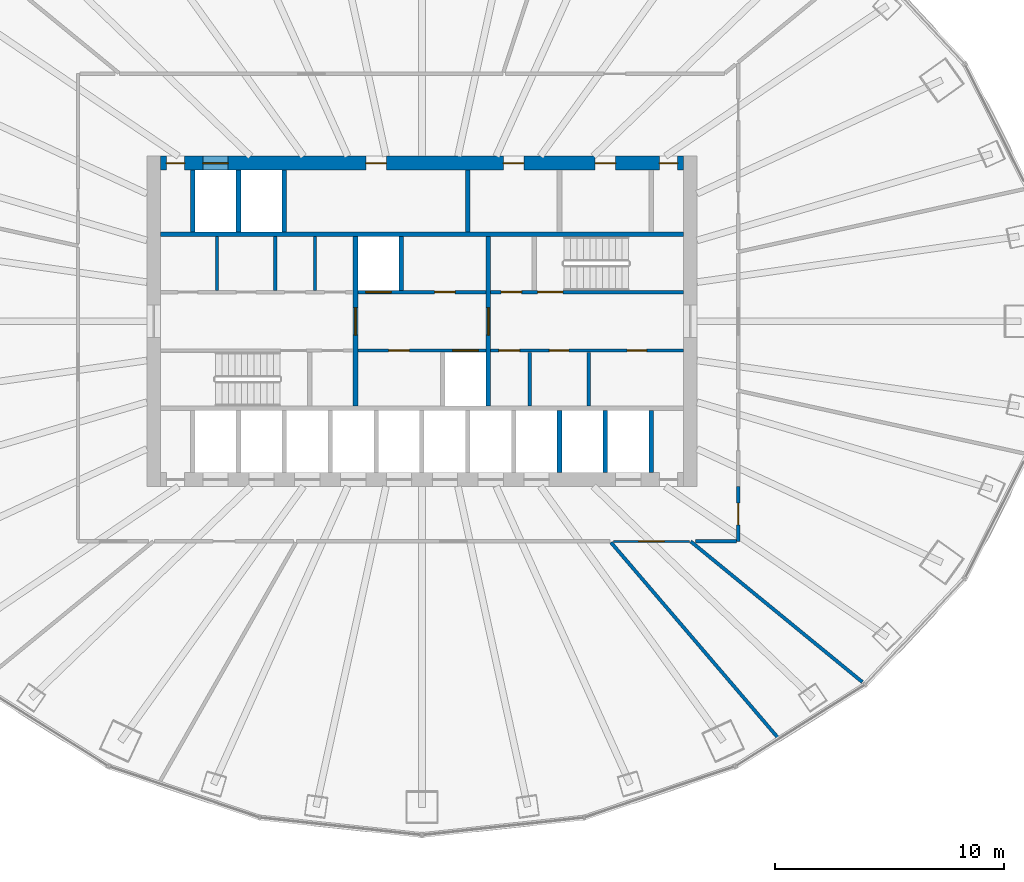
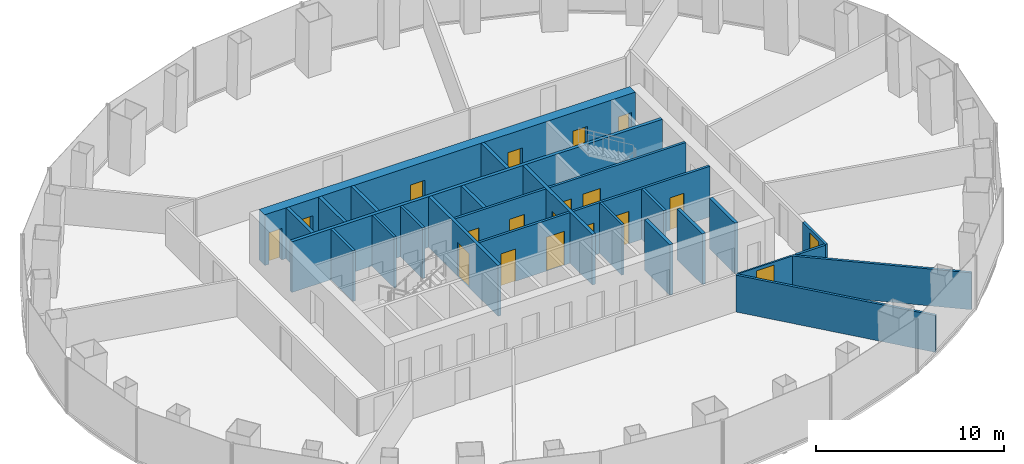
# One storey, part 9 of 11: 26 walls, 19 doors, 19 openings.
"""IFC4 building model written with IfcOpenShell, lengths in metres."""

from ifc_helpers import new_model, si_unit, direction, frame, frame_2d, origin, place, context, subcontext, project, spatial, rectangle, extrude, material, layer, layer_set, type_object, element, fill, save


model = new_model("IFC4")

# Units and contexts
model_context = context("Model", 3, precision=1e-05, world=origin(), true_north=direction((0.0, 1.0)))
body_context = subcontext(model_context, "Body", "Model", "MODEL_VIEW")
ifc_project = project(units=[si_unit("LENGTHUNIT", "METRE"), si_unit("AREAUNIT", "SQUARE_METRE"), si_unit("VOLUMEUNIT", "CUBIC_METRE"), si_unit("PLANEANGLEUNIT", "RADIAN"), si_unit("MASSUNIT", "GRAM", prefix="KILO")], contexts=[model_context])

# Site, building, storey
site_placement = place(None, origin())
site = spatial("IfcSite", under=ifc_project, at=site_placement, CompositionType="ELEMENT")
building_placement = place(site_placement, origin())
building = spatial("IfcBuilding", under=site, at=building_placement, Name="Siaravel Broadcast Tower", CompositionType="ELEMENT")
storey_placement = place(building_placement, frame((0.0, 0.0, 66.699951171875)))
storey = spatial("IfcBuildingStorey", under=building, at=storey_placement, Name="L15", CompositionType="ELEMENT", Elevation=66.699951171875)

# Walls
ifc_material_1 = material(Name="Concrete blockwork", Category="masonry")
ifc_layer_1 = layer(ifc_material_1, 0.14990234375)
ifc_layer_set_1 = layer_set([ifc_layer_1], Name="Concrete blockwork")
wall_type_1 = type_object("IfcWallType", Name="Core partition 150", PredefinedType="PARTITIONING", material=ifc_layer_set_1)
for number, where, z_axis, x_axis, name in (
    (1, (-8.93994140625, 1.35009765625, 0.0), (0.0, 0.0, 1.0), (0.0, 1.0, 0.0), "L15 core partition PNW0"),
    (2, (-6.405029296875, 1.35009765625, 0.0), (0.0, 0.0, 1.0), (0.0, 1.0, 0.0), "L15 core partition PNW1"),
    (3, (-4.6650390625, 1.35009765625, 0.0), (0.0, 0.0, 1.0), (0.0, 1.0, 0.0), "L15 core partition PNW2"),
    (4, (4.695068359375, -3.699951171875, 0.0), (0.0, 0.0, 1.0), (0.0, 1.0, 0.0), "L15 core partition PSE0"),
    (5, (7.27490234375, -3.699951171875, 0.0), (0.0, 0.0, 1.0), (0.0, 1.0, 0.0), "L15 core partition PSE1"),
):
    element("IfcWall", number, at=place(storey_placement, frame(where, z_axis=z_axis, x_axis=x_axis)), inside=storey, type_object=wall_type_1, Name=name, PredefinedType="PARTITIONING", context=body_context, shape_type="SweptSolid", body=[
        extrude(rectangle(XDim=2.349853515625, YDim=0.14990234375, at=frame_2d((1.1748046875, 0.0))), origin(), (0.0, 0.0, 1.0), 3.300048828125),
    ])
ifc_layer_2 = layer(ifc_material_1, 0.199951171875)
ifc_layer_set_2 = layer_set([ifc_layer_2], Name="Concrete blockwork")
wall_type_2 = type_object("IfcWallType", Name="Core partition 200", PredefinedType="PARTITIONING", material=ifc_layer_set_2)
wall_1_placement = place(storey_placement, frame((2.0, 3.89990234375, 0.0), z_axis=(0.0, 0.0, 1.0), x_axis=(0.0, 1.0, 0.0)))
element("IfcWall", 6, at=wall_1_placement, inside=storey, type_object=wall_type_2, Name="L15 core partition PFN2", PredefinedType="PARTITIONING", context=body_context, shape_type="SweptSolid", body=[
    extrude(rectangle(XDim=2.7001953125, YDim=0.199951171875, at=frame_2d((1.35009765625, 0.0))), origin(), (0.0, 0.0, 1.0), 3.300048828125),
])

# Wall, openings, doors
ifc_material_2 = material(Name="Concrete C60/75", Category="concrete")
ifc_layer_3 = layer(ifc_material_2, 0.60009765625)
ifc_layer_set_3 = layer_set([ifc_layer_3], Name="Concrete C60/75")
wall_type_3 = type_object("IfcWallType", Name="Core wall 600", PredefinedType="SHEAR", material=ifc_layer_set_3)
wall_2_placement = place(storey_placement, frame((-11.39990234375, 6.89990234375, 0.0), z_axis=(0.0, 0.0, 1.0), x_axis=(1.0, 0.0, 0.0)))
wall_2 = element("IfcWall", 7, at=wall_2_placement, inside=storey, type_object=wall_type_3, Name="L15 core wall ON", PredefinedType="SHEAR", context=body_context, shape_type="SweptSolid", body=[
    extrude(rectangle(XDim=22.7998046875, YDim=0.60009765625, at=frame_2d((11.39990234375, 0.0))), origin(), (0.0, 0.0, 1.0), 3.300048828125),
])
opening_1_placement = place(wall_2_placement, frame((1.85009765625, 0.0, 0.0)))
opening_1 = element("IfcOpeningElement", 8, at=opening_1_placement, cuts=wall_2, Name="Opening LD-SV2-L15", PredefinedType="OPENING", context=body_context, shape_type="SweptSolid", body=[
    extrude(rectangle(XDim=1.10009765625, YDim=2.199951171875, at=frame_2d((0.550048828125, 1.10009765625))), frame((0.0, 0.31005859375, 0.0), z_axis=(0.0, -1.0, 0.0), x_axis=(1.0, 0.0, 0.0)), (0.0, 0.0, 1.0), 0.6201171875),
])
opening_2_placement = place(wall_2_placement, frame((8.949951171875, 0.0, 0.0)))
opening_2 = element("IfcOpeningElement", 9, at=opening_2_placement, cuts=wall_2, Name="Opening L15-DFN2", PredefinedType="OPENING", context=body_context, shape_type="SweptSolid", body=[
    extrude(rectangle(XDim=0.89990234375, YDim=2.10009765625, at=frame_2d((0.449951171875, 1.050048828125))), frame((0.0, 0.31005859375, 0.0), z_axis=(0.0, -1.0, 0.0), x_axis=(1.0, 0.0, 0.0)), (0.0, 0.0, 1.0), 0.6201171875),
])
opening_3_placement = place(wall_2_placement, frame((14.949951171875, 0.0, 0.0)))
opening_3 = element("IfcOpeningElement", 10, at=opening_3_placement, cuts=wall_2, Name="Opening L15-DFN6", PredefinedType="OPENING", context=body_context, shape_type="SweptSolid", body=[
    extrude(rectangle(XDim=0.89990234375, YDim=2.10009765625, at=frame_2d((0.449951171875, 1.050048828125))), frame((0.0, 0.31005859375, 0.0), z_axis=(0.0, -1.0, 0.0), x_axis=(1.0, 0.0, 0.0)), (0.0, 0.0, 1.0), 0.6201171875),
])
opening_4_placement = place(wall_2_placement, frame((18.949951171875, 0.0, 0.0)))
opening_4 = element("IfcOpeningElement", 11, at=opening_4_placement, cuts=wall_2, Name="Opening L15-DFN8", PredefinedType="OPENING", context=body_context, shape_type="SweptSolid", body=[
    extrude(rectangle(XDim=0.89990234375, YDim=2.10009765625, at=frame_2d((0.449951171875, 1.050048828125))), frame((0.0, 0.31005859375, 0.0), z_axis=(0.0, -1.0, 0.0), x_axis=(1.0, 0.0, 0.0)), (0.0, 0.0, 1.0), 0.6201171875),
])
opening_5_placement = place(wall_2_placement, frame((0.25, 0.0, 0.0)))
opening_5 = element("IfcOpeningElement", 12, at=opening_5_placement, cuts=wall_2, Name="Opening L15-DRNW", PredefinedType="OPENING", context=body_context, shape_type="SweptSolid", body=[
    extrude(rectangle(XDim=0.800048828125, YDim=2.050048828125, at=frame_2d((0.39990234375, 1.02490234375))), frame((0.0, 0.31005859375, 0.0), z_axis=(0.0, -1.0, 0.0), x_axis=(1.0, 0.0, 0.0)), (0.0, 0.0, 1.0), 0.6201171875),
])
opening_6_placement = place(wall_2_placement, frame((21.75, 0.0, 0.0)))
opening_6 = element("IfcOpeningElement", 13, at=opening_6_placement, cuts=wall_2, Name="Opening L15-DRNE", PredefinedType="OPENING", context=body_context, shape_type="SweptSolid", body=[
    extrude(rectangle(XDim=0.800048828125, YDim=2.050048828125, at=frame_2d((0.39990234375, 1.02490234375))), frame((0.0, 0.31005859375, 0.0), z_axis=(0.0, -1.0, 0.0), x_axis=(1.0, 0.0, 0.0)), (0.0, 0.0, 1.0), 0.6201171875),
])
ifc_material_3 = material(Name="Timber veneer", Category="wood")
door_type_1 = type_object("IfcDoorType", Name="Core room door 900", OperationType="SINGLE_SWING_LEFT", PredefinedType="DOOR", material=ifc_material_3)
door_1_placement = place(opening_2_placement, origin())
door_1 = element("IfcDoor", 14, at=door_1_placement, inside=storey, type_object=door_type_1, Name="L15 door DFN2", OperationType="SINGLE_SWING_LEFT", OverallHeight=2.10009765625, OverallWidth=0.89990234375, PredefinedType="DOOR", context=body_context, shape_type="SweptSolid", body=[
    extrude(rectangle(XDim=0.89990234375, YDim=2.10009765625, at=frame_2d((0.449951171875, 1.050048828125))), frame((0.0, 0.02490234375, 0.0), z_axis=(0.0, -1.0, 0.0), x_axis=(1.0, 0.0, 0.0)), (0.0, 0.0, 1.0), 0.050048828125),
])
fill(opening_2, door_1)
door_2_placement = place(opening_3_placement, origin())
door_2 = element("IfcDoor", 15, at=door_2_placement, inside=storey, type_object=door_type_1, Name="L15 door DFN6", OperationType="SINGLE_SWING_LEFT", OverallHeight=2.10009765625, OverallWidth=0.89990234375, PredefinedType="DOOR", context=body_context, shape_type="SweptSolid", body=[
    extrude(rectangle(XDim=0.89990234375, YDim=2.10009765625, at=frame_2d((0.449951171875, 1.050048828125))), frame((0.0, 0.02490234375, 0.0), z_axis=(0.0, -1.0, 0.0), x_axis=(1.0, 0.0, 0.0)), (0.0, 0.0, 1.0), 0.050048828125),
])
fill(opening_3, door_2)
door_3_placement = place(opening_4_placement, origin())
door_3 = element("IfcDoor", 16, at=door_3_placement, inside=storey, type_object=door_type_1, Name="L15 door DFN8", OperationType="SINGLE_SWING_LEFT", OverallHeight=2.10009765625, OverallWidth=0.89990234375, PredefinedType="DOOR", context=body_context, shape_type="SweptSolid", body=[
    extrude(rectangle(XDim=0.89990234375, YDim=2.10009765625, at=frame_2d((0.449951171875, 1.050048828125))), frame((0.0, 0.02490234375, 0.0), z_axis=(0.0, -1.0, 0.0), x_axis=(1.0, 0.0, 0.0)), (0.0, 0.0, 1.0), 0.050048828125),
])
fill(opening_4, door_3)
ifc_material_4 = material(Name="Steel", Category="steel")
door_type_2 = type_object("IfcDoorType", Name="Riser door 800", OperationType="SINGLE_SWING_LEFT", PredefinedType="DOOR", material=ifc_material_4)
door_4_placement = place(opening_5_placement, origin())
door_4 = element("IfcDoor", 17, at=door_4_placement, inside=storey, type_object=door_type_2, Name="L15 door DRNW", OperationType="SINGLE_SWING_LEFT", OverallHeight=2.050048828125, OverallWidth=0.800048828125, PredefinedType="DOOR", context=body_context, shape_type="SweptSolid", body=[
    extrude(rectangle(XDim=0.800048828125, YDim=2.050048828125, at=frame_2d((0.39990234375, 1.02490234375))), frame((0.0, 0.02490234375, 0.0), z_axis=(0.0, -1.0, 0.0), x_axis=(1.0, 0.0, 0.0)), (0.0, 0.0, 1.0), 0.050048828125),
])
fill(opening_5, door_4)
door_5_placement = place(opening_6_placement, origin())
door_5 = element("IfcDoor", 18, at=door_5_placement, inside=storey, type_object=door_type_2, Name="L15 door DRNE", OperationType="SINGLE_SWING_LEFT", OverallHeight=2.050048828125, OverallWidth=0.800048828125, PredefinedType="DOOR", context=body_context, shape_type="SweptSolid", body=[
    extrude(rectangle(XDim=0.800048828125, YDim=2.050048828125, at=frame_2d((0.39990234375, 1.02490234375))), frame((0.0, 0.02490234375, 0.0), z_axis=(0.0, -1.0, 0.0), x_axis=(1.0, 0.0, 0.0)), (0.0, 0.0, 1.0), 0.050048828125),
])
fill(opening_6, door_5)
ifc_material_5 = material(Name="Stainless steel 316L", Category="steel")
door_type_3 = type_object("IfcDoorType", Name="Service lift landing door 1100", OperationType="DOUBLE_DOOR_SLIDING", PredefinedType="DOOR", material=ifc_material_5)
door_6_placement = place(opening_1_placement, origin())
door_6 = element("IfcDoor", 19, at=door_6_placement, inside=storey, type_object=door_type_3, Name="Landing door SV2 L15", OperationType="DOUBLE_DOOR_SLIDING", OverallHeight=2.199951171875, OverallWidth=1.10009765625, PredefinedType="DOOR", context=body_context, shape_type="SweptSolid", body=[
    extrude(rectangle(XDim=1.10009765625, YDim=2.199951171875, at=frame_2d((0.550048828125, 1.10009765625))), frame((0.0, 0.02490234375, 0.0), z_axis=(0.0, -1.0, 0.0), x_axis=(1.0, 0.0, 0.0)), (0.0, 0.0, 1.0), 0.050048828125),
])
fill(opening_1, door_6)

ifc_material_6 = material(Name="Gypsum board partition", Category="gypsum")
ifc_layer_4 = layer(ifc_material_6, 0.14990234375)
ifc_layer_set_4 = layer_set([ifc_layer_4], Name="Gypsum board partition")
wall_type_4 = type_object("IfcWallType", Name="Corridor wall 150", PredefinedType="PARTITIONING", material=ifc_layer_set_4)
wall_3_placement = place(storey_placement, frame((3.0, -1.27490234375, 0.0), z_axis=(0.0, 0.0, 1.0), x_axis=(1.0, 0.0, 0.0)))
wall_3 = element("IfcWall", 20, at=wall_3_placement, inside=storey, type_object=wall_type_4, Name="L15 core partition CSE", PredefinedType="PARTITIONING", context=body_context, shape_type="SweptSolid", body=[
    extrude(rectangle(XDim=8.39990234375, YDim=0.14990234375, at=frame_2d((4.199951171875, 0.0))), origin(), (0.0, 0.0, 1.0), 3.300048828125),
])
opening_7_placement = place(wall_3_placement, frame((0.360107421875, 0.0, 0.0)))
opening_7 = element("IfcOpeningElement", 21, at=opening_7_placement, cuts=wall_3, Name="Opening L15-DSE0", PredefinedType="OPENING", context=body_context, shape_type="SweptSolid", body=[
    extrude(rectangle(XDim=0.89990234375, YDim=2.10009765625, at=frame_2d((0.449951171875, 1.050048828125))), frame((0.0, 0.0849609375, 0.0), z_axis=(0.0, -1.0, 0.0), x_axis=(1.0, 0.0, 0.0)), (0.0, 0.0, 1.0), 0.169921875),
])
opening_8_placement = place(wall_3_placement, frame((2.56005859375, 0.0, 0.0)))
opening_8 = element("IfcOpeningElement", 22, at=opening_8_placement, cuts=wall_3, Name="Opening L15-DSE1", PredefinedType="OPENING", context=body_context, shape_type="SweptSolid", body=[
    extrude(rectangle(XDim=0.85009765625, YDim=2.10009765625, at=frame_2d((0.425048828125, 1.050048828125))), frame((0.0, 0.0849609375, 0.0), z_axis=(0.0, -1.0, 0.0), x_axis=(1.0, 0.0, 0.0)), (0.0, 0.0, 1.0), 0.169921875),
])
opening_9_placement = place(wall_3_placement, frame((5.949951171875, 0.0, 0.0)))
opening_9 = element("IfcOpeningElement", 23, at=opening_9_placement, cuts=wall_3, Name="Opening L15-DSE2", PredefinedType="OPENING", context=body_context, shape_type="SweptSolid", body=[
    extrude(rectangle(XDim=0.85009765625, YDim=2.10009765625, at=frame_2d((0.425048828125, 1.050048828125))), frame((0.0, 0.0849609375, 0.0), z_axis=(0.0, -1.0, 0.0), x_axis=(1.0, 0.0, 0.0)), (0.0, 0.0, 1.0), 0.169921875),
])
door_7_placement = place(opening_7_placement, origin())
door_7 = element("IfcDoor", 24, at=door_7_placement, inside=storey, type_object=door_type_1, Name="L15 door DSE0", OperationType="SINGLE_SWING_LEFT", OverallHeight=2.10009765625, OverallWidth=0.89990234375, PredefinedType="DOOR", context=body_context, shape_type="SweptSolid", body=[
    extrude(rectangle(XDim=0.89990234375, YDim=2.10009765625, at=frame_2d((0.449951171875, 1.050048828125))), frame((0.0, 0.02490234375, 0.0), z_axis=(0.0, -1.0, 0.0), x_axis=(1.0, 0.0, 0.0)), (0.0, 0.0, 1.0), 0.050048828125),
])
fill(opening_7, door_7)
door_type_4 = type_object("IfcDoorType", Name="Core toilet door 850", OperationType="SINGLE_SWING_LEFT", PredefinedType="DOOR", material=ifc_material_3)
door_8_placement = place(opening_8_placement, origin())
door_8 = element("IfcDoor", 25, at=door_8_placement, inside=storey, type_object=door_type_4, Name="L15 door DSE1", OperationType="SINGLE_SWING_LEFT", OverallHeight=2.10009765625, OverallWidth=0.85009765625, PredefinedType="DOOR", context=body_context, shape_type="SweptSolid", body=[
    extrude(rectangle(XDim=0.85009765625, YDim=2.10009765625, at=frame_2d((0.425048828125, 1.050048828125))), frame((0.0, 0.02490234375, 0.0), z_axis=(0.0, -1.0, 0.0), x_axis=(1.0, 0.0, 0.0)), (0.0, 0.0, 1.0), 0.050048828125),
])
fill(opening_8, door_8)
door_9_placement = place(opening_9_placement, origin())
door_9 = element("IfcDoor", 26, at=door_9_placement, inside=storey, type_object=door_type_4, Name="L15 door DSE2", OperationType="SINGLE_SWING_LEFT", OverallHeight=2.10009765625, OverallWidth=0.85009765625, PredefinedType="DOOR", context=body_context, shape_type="SweptSolid", body=[
    extrude(rectangle(XDim=0.85009765625, YDim=2.10009765625, at=frame_2d((0.425048828125, 1.050048828125))), frame((0.0, 0.02490234375, 0.0), z_axis=(0.0, -1.0, 0.0), x_axis=(1.0, 0.0, 0.0)), (0.0, 0.0, 1.0), 0.050048828125),
])
fill(opening_9, door_9)

# Wall, opening, door
wall_4_placement = place(storey_placement, frame((13.800048828125, -9.60009765625, 0.0), z_axis=(0.0, 0.0, 1.0), x_axis=(0.0, 1.0, 0.0)))
wall_4 = element("IfcWall", 27, at=wall_4_placement, inside=storey, type_object=wall_type_4, Name="L15 partition 25", PredefinedType="PARTITIONING", context=body_context, shape_type="SweptSolid", body=[
    extrude(rectangle(XDim=2.38720703125, YDim=0.14990234375, at=frame_2d((1.193603515625, 0.0))), origin(), (0.0, 0.0, 1.0), 2.400146484375),
])
opening_10_placement = place(wall_4_placement, frame((0.718505859375, 0.0, 0.0)))
opening_10 = element("IfcOpeningElement", 28, at=opening_10_placement, cuts=wall_4, Name="Opening L15-002", PredefinedType="OPENING", context=body_context, shape_type="SweptSolid", body=[
    extrude(rectangle(XDim=0.949951171875, YDim=2.14990234375, at=frame_2d((0.47509765625, 1.074951171875))), frame((0.0, 0.0849609375, 0.0), z_axis=(0.0, -1.0, 0.0), x_axis=(1.0, 0.0, 0.0)), (0.0, 0.0, 1.0), 0.169921875),
])
door_type_5 = type_object("IfcDoorType", Name="Office door 950", OperationType="SINGLE_SWING_LEFT", PredefinedType="DOOR", material=ifc_material_3)
door_10_placement = place(opening_10_placement, origin())
door_10 = element("IfcDoor", 29, at=door_10_placement, inside=storey, type_object=door_type_5, Name="L15 door to Graphics studio", OperationType="SINGLE_SWING_RIGHT", OverallHeight=2.14990234375, OverallWidth=0.949951171875, PredefinedType="DOOR", context=body_context, shape_type="SweptSolid", body=[
    extrude(rectangle(XDim=0.949951171875, YDim=2.14990234375, at=frame_2d((0.47509765625, 1.074951171875))), frame((0.0, 0.02490234375, 0.0), z_axis=(0.0, -1.0, 0.0), x_axis=(1.0, 0.0, 0.0)), (0.0, 0.0, 1.0), 0.050048828125),
])
fill(opening_10, door_10)

# Wall
wall_5_placement = place(storey_placement, frame((11.931884765625, -9.60009765625, 0.0), z_axis=(0.0, 0.0, 1.0), x_axis=(1.0, 0.0, 0.0)))
element("IfcWall", 30, at=wall_5_placement, inside=storey, type_object=wall_type_4, Name="L15 partition 26", PredefinedType="PARTITIONING", context=body_context, shape_type="SweptSolid", body=[
    extrude(rectangle(XDim=1.791015625, YDim=0.14990234375, at=frame_2d((0.8955078125, 0.0))), origin(), (0.0, 0.0, 1.0), 2.400146484375),
])

# Wall, opening, door
ifc_material_7 = material(Name="Glazed aluminium partition", Category="aluminium")
ifc_layer_5 = layer(ifc_material_7, 0.10009765625)
ifc_layer_set_5 = layer_set([ifc_layer_5], Name="Glazed aluminium partition")
wall_type_5 = type_object("IfcWallType", Name="Glazed meeting room partition 100", PredefinedType="PARTITIONING", material=ifc_layer_set_5)
wall_6_placement = place(storey_placement, frame((8.349853515625, -9.60009765625, 0.0), z_axis=(0.0, 0.0, 1.0), x_axis=(1.0, 0.0, 0.0)))
wall_6 = element("IfcWall", 31, at=wall_6_placement, inside=storey, type_object=wall_type_5, Name="L15 partition 22", PredefinedType="PARTITIONING", context=body_context, shape_type="SweptSolid", body=[
    extrude(rectangle(XDim=3.3271484375, YDim=0.10009765625, at=frame_2d((1.66357421875, 0.0))), origin(), (0.0, 0.0, 1.0), 2.400146484375),
])
opening_11_placement = place(wall_6_placement, frame((1.113525390625, 0.0, 0.0)))
opening_11 = element("IfcOpeningElement", 32, at=opening_11_placement, cuts=wall_6, Name="Opening L15-013", PredefinedType="OPENING", context=body_context, shape_type="SweptSolid", body=[
    extrude(rectangle(XDim=1.10009765625, YDim=2.199951171875, at=frame_2d((0.550048828125, 1.10009765625))), frame((0.0, 0.06005859375, 0.0), z_axis=(0.0, -1.0, 0.0), x_axis=(1.0, 0.0, 0.0)), (0.0, 0.0, 1.0), 0.1201171875),
])
door_type_6 = type_object("IfcDoorType", Name="Meeting room door 1100", OperationType="SINGLE_SWING_LEFT", PredefinedType="DOOR", material=ifc_material_3)
door_11_placement = place(opening_11_placement, origin())
door_11 = element("IfcDoor", 33, at=door_11_placement, inside=storey, type_object=door_type_6, Name="L15 door to Meeting room", OperationType="SINGLE_SWING_LEFT", OverallHeight=2.199951171875, OverallWidth=1.10009765625, PredefinedType="DOOR", context=body_context, shape_type="SweptSolid", body=[
    extrude(rectangle(XDim=1.10009765625, YDim=2.199951171875, at=frame_2d((0.550048828125, 1.10009765625))), frame((0.0, 0.02490234375, 0.0), z_axis=(0.0, -1.0, 0.0), x_axis=(1.0, 0.0, 0.0)), (0.0, 0.0, 1.0), 0.050048828125),
])
fill(opening_11, door_11)

# Walls
ifc_layer_6 = layer(ifc_material_6, 0.14990234375)
ifc_layer_set_6 = layer_set([ifc_layer_6], Name="Gypsum board partition")
wall_type_6 = type_object("IfcWallType", Name="Room partition 150", PredefinedType="PARTITIONING", material=ifc_layer_set_6)
wall_7_placement = place(storey_placement, frame((15.577392578125, -18.22265625, 0.0), z_axis=(0.0, 0.0, 1.0), x_axis=(-0.649782359, 0.76012031, 0.0)))
element("IfcWall", 34, at=wall_7_placement, inside=storey, type_object=wall_type_6, Name="L15 partition 7", PredefinedType="PARTITIONING", context=body_context, shape_type="SweptSolid", body=[
    extrude(rectangle(XDim=11.28466796875, YDim=0.14990234375, at=frame_2d((5.642333984375, 0.0))), origin(), (0.0, 0.0, 1.0), 2.400146484375),
])
wall_8_placement = place(storey_placement, frame((11.72021484375, -9.60009765625, 0.0), z_axis=(0.0, 0.0, 1.0), x_axis=(0.77360313, -0.633670417, 0.0)))
element("IfcWall", 35, at=wall_8_placement, inside=storey, type_object=wall_type_6, Name="L15 partition 11", PredefinedType="PARTITIONING", context=body_context, shape_type="SweptSolid", body=[
    extrude(rectangle(XDim=9.677734375, YDim=0.14990234375, at=frame_2d((4.8388671875, 0.0))), origin(), (0.0, 0.0, 1.0), 2.400146484375),
])

# Wall, openings, doors
ifc_layer_7 = layer(ifc_material_2, 0.14990234375)
ifc_layer_set_7 = layer_set([ifc_layer_7], Name="Concrete C60/75")
wall_type_7 = type_object("IfcWallType", Name="Shaft wall 150", PredefinedType="SHEAR", material=ifc_layer_set_7)
wall_9_placement = place(storey_placement, frame((-2.800048828125, -1.27490234375, 0.0), z_axis=(0.0, 0.0, 1.0), x_axis=(1.0, 0.0, 0.0)))
wall_9 = element("IfcWall", 36, at=wall_9_placement, inside=storey, type_object=wall_type_7, Name="L15 core wall CSM", PredefinedType="SHEAR", context=body_context, shape_type="SweptSolid", body=[
    extrude(rectangle(XDim=5.60009765625, YDim=0.14990234375, at=frame_2d((2.800048828125, 0.0))), origin(), (0.0, 0.0, 1.0), 3.300048828125),
])
opening_12_placement = place(wall_9_placement, frame((4.14990234375, 0.0, 0.0)))
opening_12 = element("IfcOpeningElement", 37, at=opening_12_placement, cuts=wall_9, Name="Opening LD-FL2-L15", PredefinedType="OPENING", context=body_context, shape_type="SweptSolid", body=[
    extrude(rectangle(XDim=1.10009765625, YDim=2.199951171875, at=frame_2d((0.550048828125, 1.10009765625))), frame((0.0, 0.0849609375, 0.0), z_axis=(0.0, -1.0, 0.0), x_axis=(1.0, 0.0, 0.0)), (0.0, 0.0, 1.0), 0.169921875),
])
opening_13_placement = place(wall_9_placement, frame((1.35009765625, 0.0, 0.0)))
opening_13 = element("IfcOpeningElement", 38, at=opening_13_placement, cuts=wall_9, Name="Opening L15-DSM0", PredefinedType="OPENING", context=body_context, shape_type="SweptSolid", body=[
    extrude(rectangle(XDim=0.89990234375, YDim=2.10009765625, at=frame_2d((0.449951171875, 1.050048828125))), frame((0.0, 0.0849609375, 0.0), z_axis=(0.0, -1.0, 0.0), x_axis=(1.0, 0.0, 0.0)), (0.0, 0.0, 1.0), 0.169921875),
])
door_12_placement = place(opening_13_placement, origin())
door_12 = element("IfcDoor", 39, at=door_12_placement, inside=storey, type_object=door_type_1, Name="L15 door DSM0", OperationType="SINGLE_SWING_LEFT", OverallHeight=2.10009765625, OverallWidth=0.89990234375, PredefinedType="DOOR", context=body_context, shape_type="SweptSolid", body=[
    extrude(rectangle(XDim=0.89990234375, YDim=2.10009765625, at=frame_2d((0.449951171875, 1.050048828125))), frame((0.0, 0.02490234375, 0.0), z_axis=(0.0, -1.0, 0.0), x_axis=(1.0, 0.0, 0.0)), (0.0, 0.0, 1.0), 0.050048828125),
])
fill(opening_13, door_12)
door_type_7 = type_object("IfcDoorType", Name="Firefighting lift landing door 1100", OperationType="DOUBLE_DOOR_SLIDING", PredefinedType="DOOR", material=ifc_material_5)
door_13_placement = place(opening_12_placement, origin())
door_13 = element("IfcDoor", 40, at=door_13_placement, inside=storey, type_object=door_type_7, Name="Landing door FL2 L15", OperationType="DOUBLE_DOOR_SLIDING", OverallHeight=2.199951171875, OverallWidth=1.10009765625, PredefinedType="DOOR", context=body_context, shape_type="SweptSolid", body=[
    extrude(rectangle(XDim=1.10009765625, YDim=2.199951171875, at=frame_2d((0.550048828125, 1.10009765625))), frame((0.0, 0.02490234375, 0.0), z_axis=(0.0, -1.0, 0.0), x_axis=(1.0, 0.0, 0.0)), (0.0, 0.0, 1.0), 0.050048828125),
])
fill(opening_12, door_13)

wall_10_placement = place(storey_placement, frame((-2.800048828125, 1.27490234375, 0.0), z_axis=(0.0, 0.0, 1.0), x_axis=(1.0, 0.0, 0.0)))
wall_10 = element("IfcWall", 41, at=wall_10_placement, inside=storey, type_object=wall_type_7, Name="L15 core wall CNM", PredefinedType="SHEAR", context=body_context, shape_type="SweptSolid", body=[
    extrude(rectangle(XDim=5.60009765625, YDim=0.14990234375, at=frame_2d((2.800048828125, 0.0))), origin(), (0.0, 0.0, 1.0), 3.300048828125),
])
opening_14_placement = place(wall_10_placement, frame((0.35009765625, 0.0, 0.0)))
opening_14 = element("IfcOpeningElement", 42, at=opening_14_placement, cuts=wall_10, Name="Opening LD-FL1-L15", PredefinedType="OPENING", context=body_context, shape_type="SweptSolid", body=[
    extrude(rectangle(XDim=1.10009765625, YDim=2.199951171875, at=frame_2d((0.550048828125, 1.10009765625))), frame((0.0, 0.0849609375, 0.0), z_axis=(0.0, -1.0, 0.0), x_axis=(1.0, 0.0, 0.0)), (0.0, 0.0, 1.0), 0.169921875),
])
opening_15_placement = place(wall_10_placement, frame((3.35009765625, 0.0, 0.0)))
opening_15 = element("IfcOpeningElement", 43, at=opening_15_placement, cuts=wall_10, Name="Opening L15-DNM0", PredefinedType="OPENING", context=body_context, shape_type="SweptSolid", body=[
    extrude(rectangle(XDim=0.89990234375, YDim=2.10009765625, at=frame_2d((0.449951171875, 1.050048828125))), frame((0.0, 0.0849609375, 0.0), z_axis=(0.0, -1.0, 0.0), x_axis=(1.0, 0.0, 0.0)), (0.0, 0.0, 1.0), 0.169921875),
])
door_14_placement = place(opening_15_placement, origin())
door_14 = element("IfcDoor", 44, at=door_14_placement, inside=storey, type_object=door_type_1, Name="L15 door DNM0", OperationType="SINGLE_SWING_LEFT", OverallHeight=2.10009765625, OverallWidth=0.89990234375, PredefinedType="DOOR", context=body_context, shape_type="SweptSolid", body=[
    extrude(rectangle(XDim=0.89990234375, YDim=2.10009765625, at=frame_2d((0.449951171875, 1.050048828125))), frame((0.0, 0.02490234375, 0.0), z_axis=(0.0, -1.0, 0.0), x_axis=(1.0, 0.0, 0.0)), (0.0, 0.0, 1.0), 0.050048828125),
])
fill(opening_15, door_14)
door_15_placement = place(opening_14_placement, origin())
door_15 = element("IfcDoor", 45, at=door_15_placement, inside=storey, type_object=door_type_7, Name="Landing door FL1 L15", OperationType="DOUBLE_DOOR_SLIDING", OverallHeight=2.199951171875, OverallWidth=1.10009765625, PredefinedType="DOOR", context=body_context, shape_type="SweptSolid", body=[
    extrude(rectangle(XDim=1.10009765625, YDim=2.199951171875, at=frame_2d((0.550048828125, 1.10009765625))), frame((0.0, 0.02490234375, 0.0), z_axis=(0.0, -1.0, 0.0), x_axis=(1.0, 0.0, 0.0)), (0.0, 0.0, 1.0), 0.050048828125),
])
fill(opening_14, door_15)

wall_11_placement = place(storey_placement, frame((3.0, 1.27490234375, 0.0), z_axis=(0.0, 0.0, 1.0), x_axis=(1.0, 0.0, 0.0)))
wall_11 = element("IfcWall", 46, at=wall_11_placement, inside=storey, type_object=wall_type_7, Name="L15 core wall CNE", PredefinedType="SHEAR", context=body_context, shape_type="SweptSolid", body=[
    extrude(rectangle(XDim=8.39990234375, YDim=0.14990234375, at=frame_2d((4.199951171875, 0.0))), origin(), (0.0, 0.0, 1.0), 3.300048828125),
])
opening_16_placement = place(wall_11_placement, frame((2.050048828125, 0.0, 0.0)))
opening_16 = element("IfcOpeningElement", 47, at=opening_16_placement, cuts=wall_11, Name="Opening L15-DS-2", PredefinedType="OPENING", context=body_context, shape_type="SweptSolid", body=[
    extrude(rectangle(XDim=1.10009765625, YDim=2.14990234375, at=frame_2d((0.550048828125, 1.074951171875))), frame((0.0, 0.0849609375, 0.0), z_axis=(0.0, -1.0, 0.0), x_axis=(1.0, 0.0, 0.0)), (0.0, 0.0, 1.0), 0.169921875),
])
opening_17_placement = place(wall_11_placement, frame((0.449951171875, 0.0, 0.0)))
opening_17 = element("IfcOpeningElement", 48, at=opening_17_placement, cuts=wall_11, Name="Opening L15-DNE0", PredefinedType="OPENING", context=body_context, shape_type="SweptSolid", body=[
    extrude(rectangle(XDim=0.89990234375, YDim=2.10009765625, at=frame_2d((0.449951171875, 1.050048828125))), frame((0.0, 0.0849609375, 0.0), z_axis=(0.0, -1.0, 0.0), x_axis=(1.0, 0.0, 0.0)), (0.0, 0.0, 1.0), 0.169921875),
])
door_16_placement = place(opening_17_placement, origin())
door_16 = element("IfcDoor", 49, at=door_16_placement, inside=storey, type_object=door_type_1, Name="L15 door DNE0", OperationType="SINGLE_SWING_LEFT", OverallHeight=2.10009765625, OverallWidth=0.89990234375, PredefinedType="DOOR", context=body_context, shape_type="SweptSolid", body=[
    extrude(rectangle(XDim=0.89990234375, YDim=2.10009765625, at=frame_2d((0.449951171875, 1.050048828125))), frame((0.0, 0.02490234375, 0.0), z_axis=(0.0, -1.0, 0.0), x_axis=(1.0, 0.0, 0.0)), (0.0, 0.0, 1.0), 0.050048828125),
])
fill(opening_17, door_16)
door_type_8 = type_object("IfcDoorType", Name="Stair door 1100", OperationType="SINGLE_SWING_LEFT", PredefinedType="DOOR", material=ifc_material_4)
door_17_placement = place(opening_16_placement, origin())
door_17 = element("IfcDoor", 50, at=door_17_placement, inside=storey, type_object=door_type_8, Name="L15 door DS-2", OperationType="SINGLE_SWING_LEFT", OverallHeight=2.14990234375, OverallWidth=1.10009765625, PredefinedType="DOOR", context=body_context, shape_type="SweptSolid", body=[
    extrude(rectangle(XDim=1.10009765625, YDim=2.14990234375, at=frame_2d((0.550048828125, 1.074951171875))), frame((0.0, 0.02490234375, 0.0), z_axis=(0.0, -1.0, 0.0), x_axis=(1.0, 0.0, 0.0)), (0.0, 0.0, 1.0), 0.050048828125),
])
fill(opening_16, door_17)

# Walls
ifc_layer_8 = layer(ifc_material_2, 0.199951171875)
ifc_layer_set_8 = layer_set([ifc_layer_8], Name="Concrete C60/75")
wall_type_8 = type_object("IfcWallType", Name="Shaft wall 200", PredefinedType="SHEAR", material=ifc_layer_set_8)
wall_12_placement = place(storey_placement, frame((-11.39990234375, 3.800048828125, 0.0), z_axis=(0.0, 0.0, 1.0), x_axis=(1.0, 0.0, 0.0)))
element("IfcWall", 51, at=wall_12_placement, inside=storey, type_object=wall_type_8, Name="L15 core wall BN", PredefinedType="SHEAR", context=body_context, shape_type="SweptSolid", body=[
    extrude(rectangle(XDim=22.7998046875, YDim=0.199951171875, at=frame_2d((11.39990234375, 0.0))), origin(), (0.0, 0.0, 1.0), 3.300048828125),
])
for number, where, z_axis, x_axis, name in (
    (52, (6.0, -6.60009765625, 0.0), (0.0, 0.0, 1.0), (0.0, 1.0, 0.0), "L15 core wall SWS8"),
    (53, (8.0, -6.60009765625, 0.0), (0.0, 0.0, 1.0), (0.0, 1.0, 0.0), "L15 core wall SWS9"),
    (54, (10.0, -6.60009765625, 0.0), (0.0, 0.0, 1.0), (0.0, 1.0, 0.0), "L15 core wall SWS10"),
    (55, (-10.0, 3.89990234375, 0.0), (0.0, 0.0, 1.0), (0.0, 1.0, 0.0), "L15 core wall SWN0"),
    (56, (-8.0, 3.89990234375, 0.0), (0.0, 0.0, 1.0), (0.0, 1.0, 0.0), "L15 core wall SWN1"),
    (57, (-6.0, 3.89990234375, 0.0), (0.0, 0.0, 1.0), (0.0, 1.0, 0.0), "L15 core wall SWN2"),
):
    element("IfcWall", number, at=place(storey_placement, frame(where, z_axis=z_axis, x_axis=x_axis)), inside=storey, type_object=wall_type_8, Name=name, PredefinedType="SHEAR", context=body_context, shape_type="SweptSolid", body=[
        extrude(rectangle(XDim=2.7001953125, YDim=0.199951171875, at=frame_2d((1.35009765625, 0.0))), origin(), (0.0, 0.0, 1.0), 3.300048828125),
    ])

# Wall, opening, door
wall_13_placement = place(storey_placement, frame((-2.89990234375, -3.699951171875, 0.0), z_axis=(0.0, 0.0, 1.0), x_axis=(0.0, 1.0, 0.0)))
wall_13 = element("IfcWall", 58, at=wall_13_placement, inside=storey, type_object=wall_type_8, Name="L15 core wall LW", PredefinedType="SHEAR", context=body_context, shape_type="SweptSolid", body=[
    extrude(rectangle(XDim=7.39990234375, YDim=0.199951171875, at=frame_2d((3.699951171875, 0.0))), origin(), (0.0, 0.0, 1.0), 3.300048828125),
])
opening_18_placement = place(wall_13_placement, frame((3.10009765625, 0.0, 0.0)))
opening_18 = element("IfcOpeningElement", 59, at=opening_18_placement, cuts=wall_13, Name="Opening L15-DL-W", PredefinedType="OPENING", context=body_context, shape_type="SweptSolid", body=[
    extrude(rectangle(XDim=1.199951171875, YDim=2.199951171875, at=frame_2d((0.60009765625, 1.10009765625))), frame((0.0, 0.10986328125, 0.0), z_axis=(0.0, -1.0, 0.0), x_axis=(1.0, 0.0, 0.0)), (0.0, 0.0, 1.0), 0.219970703125),
])
door_type_9 = type_object("IfcDoorType", Name="Firefighting lobby door 1200", OperationType="SINGLE_SWING_LEFT", PredefinedType="DOOR", material=ifc_material_4)
door_18_placement = place(opening_18_placement, origin())
door_18 = element("IfcDoor", 60, at=door_18_placement, inside=storey, type_object=door_type_9, Name="L15 door DL-W", OperationType="SINGLE_SWING_LEFT", OverallHeight=2.199951171875, OverallWidth=1.199951171875, PredefinedType="DOOR", context=body_context, shape_type="SweptSolid", body=[
    extrude(rectangle(XDim=1.199951171875, YDim=2.199951171875, at=frame_2d((0.60009765625, 1.10009765625))), frame((0.0, 0.02490234375, 0.0), z_axis=(0.0, -1.0, 0.0), x_axis=(1.0, 0.0, 0.0)), (0.0, 0.0, 1.0), 0.050048828125),
])
fill(opening_18, door_18)

wall_14_placement = place(storey_placement, frame((2.89990234375, -3.699951171875, 0.0), z_axis=(0.0, 0.0, 1.0), x_axis=(0.0, 1.0, 0.0)))
wall_14 = element("IfcWall", 61, at=wall_14_placement, inside=storey, type_object=wall_type_8, Name="L15 core wall LE", PredefinedType="SHEAR", context=body_context, shape_type="SweptSolid", body=[
    extrude(rectangle(XDim=7.39990234375, YDim=0.199951171875, at=frame_2d((3.699951171875, 0.0))), origin(), (0.0, 0.0, 1.0), 3.300048828125),
])
opening_19_placement = place(wall_14_placement, frame((3.10009765625, 0.0, 0.0)))
opening_19 = element("IfcOpeningElement", 62, at=opening_19_placement, cuts=wall_14, Name="Opening L15-DL-E", PredefinedType="OPENING", context=body_context, shape_type="SweptSolid", body=[
    extrude(rectangle(XDim=1.199951171875, YDim=2.199951171875, at=frame_2d((0.60009765625, 1.10009765625))), frame((0.0, 0.10986328125, 0.0), z_axis=(0.0, -1.0, 0.0), x_axis=(1.0, 0.0, 0.0)), (0.0, 0.0, 1.0), 0.219970703125),
])
door_19_placement = place(opening_19_placement, origin())
door_19 = element("IfcDoor", 63, at=door_19_placement, inside=storey, type_object=door_type_9, Name="L15 door DL-E", OperationType="SINGLE_SWING_LEFT", OverallHeight=2.199951171875, OverallWidth=1.199951171875, PredefinedType="DOOR", context=body_context, shape_type="SweptSolid", body=[
    extrude(rectangle(XDim=1.199951171875, YDim=2.199951171875, at=frame_2d((0.60009765625, 1.10009765625))), frame((0.0, 0.02490234375, 0.0), z_axis=(0.0, -1.0, 0.0), x_axis=(1.0, 0.0, 0.0)), (0.0, 0.0, 1.0), 0.050048828125),
])
fill(opening_19, door_19)

# Wall
wall_15_placement = place(storey_placement, frame((-0.89990234375, 1.35009765625, 0.0), z_axis=(0.0, 0.0, 1.0), x_axis=(0.0, 1.0, 0.0)))
element("IfcWall", 64, at=wall_15_placement, inside=storey, type_object=wall_type_8, Name="L15 core wall FF1E", PredefinedType="SHEAR", context=body_context, shape_type="SweptSolid", body=[
    extrude(rectangle(XDim=2.349853515625, YDim=0.199951171875, at=frame_2d((1.1748046875, 0.0))), origin(), (0.0, 0.0, 1.0), 3.300048828125),
])

save(model, "model.ifc")
